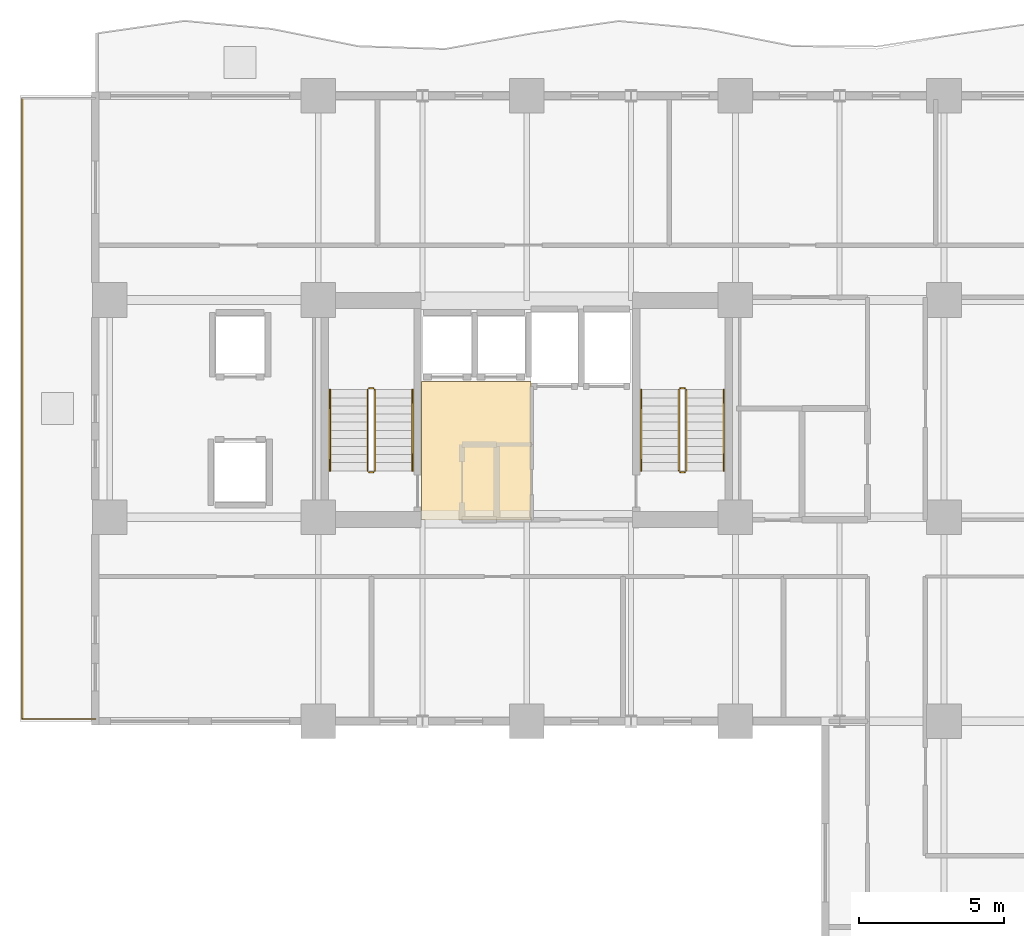
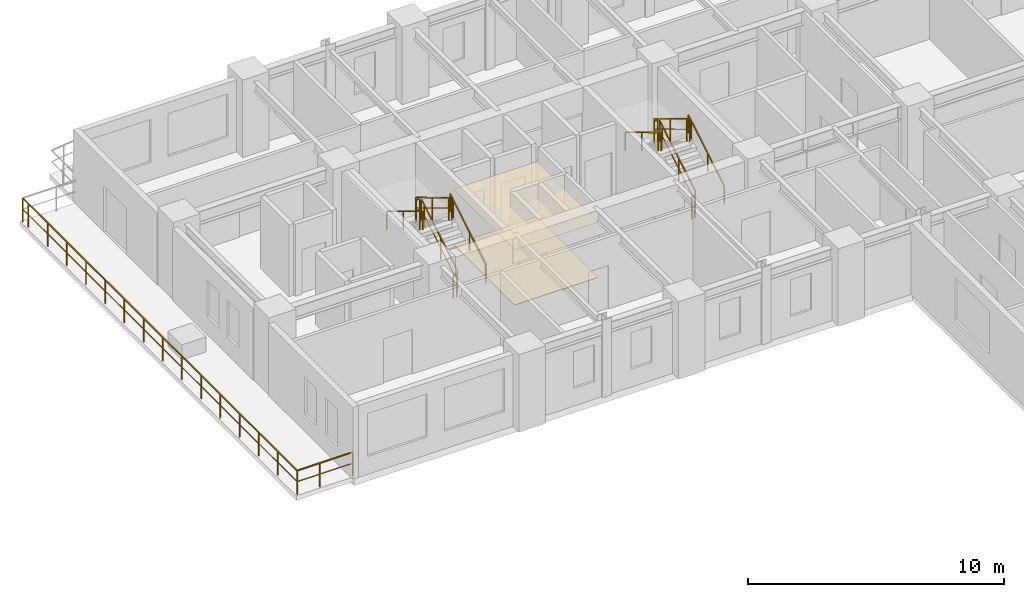
# One storey, part 9 of 11: 14 railings, 2 coverings.
"""IFC4 building model written with IfcOpenShell, lengths in metres."""

from ifc_helpers import new_model, si_unit, direction, frame, origin, origin_2d, place, context, subcontext, project, spatial, rectangle, extrude, source, transform, mapped, material, layer, layer_set, type_object, element, save


model = new_model("IFC4")

# Units and contexts
model_context = context("Model", 3, precision=1e-05, world=origin(), true_north=direction((0.0, 1.0)))
body_context = subcontext(model_context, "Body", "Model", "MODEL_VIEW")
ifc_project = project(units=[si_unit("LENGTHUNIT", "METRE"), si_unit("AREAUNIT", "SQUARE_METRE"), si_unit("VOLUMEUNIT", "CUBIC_METRE"), si_unit("PLANEANGLEUNIT", "RADIAN"), si_unit("MASSUNIT", "GRAM", prefix="KILO")], contexts=[model_context])

# Site, building, storey
site_placement = place(None, origin())
site = spatial("IfcSite", under=ifc_project, at=site_placement, CompositionType="ELEMENT")
building_placement = place(site_placement, origin())
building = spatial("IfcBuilding", under=site, at=building_placement, Name="Kaliganga Portal Commons", CompositionType="ELEMENT")
storey_placement = place(building_placement, frame((0.0, 0.0, 78.60009765625)))
storey = spatial("IfcBuildingStorey", under=building, at=storey_placement, Name="L19", CompositionType="ELEMENT", Elevation=78.60009765625)

# Railings
ifc_material_1 = material(Name="Laminated Safety Glass and Stainless Steel 316", Category="steel")
railing_type_1 = type_object("IfcRailingType", Name="RLG-BAL-1150", PredefinedType="BALUSTRADE", material=ifc_material_1)
railing_1_placement = place(storey_placement, frame((6.699951171875, 21.679931640625, 0.0)))
element("IfcRailing", 1, at=railing_1_placement, inside=storey, type_object=railing_type_1, Name="Terrace Guardrail L19 skygarden_l19-01-1", PredefinedType="BALUSTRADE", context=body_context, shape_type="SweptSolid", body=[
    extrude(rectangle(XDim=0.048095703125, YDim=0.048095703125, at=origin_2d()), frame((0.0, 0.0, 1.1259765625), z_axis=(-1.0, 0.0, 0.0), x_axis=(0.0, -1.0, 0.0)), (0.0, 0.0, 1.0), 2.52001953125),
    extrude(rectangle(XDim=0.028076171875, YDim=0.028076171875, at=origin_2d()), frame((0.0, 0.0, 0.597900390625), z_axis=(-1.0, 0.0, 0.0), x_axis=(0.0, -1.0, 0.0)), (0.0, 0.0, 1.0), 2.52001953125),
    extrude(rectangle(XDim=0.0419921875, YDim=0.0419921875, at=origin_2d()), origin(), (0.0, 0.0, 1.0), 1.101806640625),
    extrude(rectangle(XDim=0.0419921875, YDim=0.0419921875, at=origin_2d()), frame((-1.5, 0.0, 0.0)), (0.0, 0.0, 1.0), 1.101806640625),
    extrude(rectangle(XDim=0.0419921875, YDim=0.0419921875, at=origin_2d()), frame((-2.52001953125, 0.0, 0.0)), (0.0, 0.0, 1.0), 1.101806640625),
])
railing_2_placement = place(storey_placement, frame((4.179931640625, 21.679931640625, 0.0)))
element("IfcRailing", 2, at=railing_2_placement, inside=storey, type_object=railing_type_1, Name="Terrace Guardrail L19 skygarden_l19-02-1", PredefinedType="BALUSTRADE", context=body_context, shape_type="SweptSolid", body=[
    extrude(rectangle(XDim=0.048095703125, YDim=0.048095703125, at=origin_2d()), frame((0.0, 0.0, 1.1259765625), z_axis=(0.0, 1.0, 0.0), x_axis=(-1.0, 0.0, 0.0)), (0.0, 0.0, 1.0), 21.440185546875),
    extrude(rectangle(XDim=0.028076171875, YDim=0.028076171875, at=origin_2d()), frame((0.0, 0.0, 0.597900390625), z_axis=(0.0, 1.0, 0.0), x_axis=(-1.0, 0.0, 0.0)), (0.0, 0.0, 1.0), 21.440185546875),
    extrude(rectangle(XDim=0.0419921875, YDim=0.0419921875, at=origin_2d()), origin(), (0.0, 0.0, 1.0), 1.101806640625),
    extrude(rectangle(XDim=0.0419921875, YDim=0.0419921875, at=origin_2d()), frame((0.0, 1.5, 0.0)), (0.0, 0.0, 1.0), 1.101806640625),
    extrude(rectangle(XDim=0.0419921875, YDim=0.0419921875, at=origin_2d()), frame((0.0, 3.0, 0.0)), (0.0, 0.0, 1.0), 1.101806640625),
    extrude(rectangle(XDim=0.0419921875, YDim=0.0419921875, at=origin_2d()), frame((0.0, 4.5, 0.0)), (0.0, 0.0, 1.0), 1.101806640625),
    extrude(rectangle(XDim=0.0419921875, YDim=0.0419921875, at=origin_2d()), frame((0.0, 6.0, 0.0)), (0.0, 0.0, 1.0), 1.101806640625),
    extrude(rectangle(XDim=0.0419921875, YDim=0.0419921875, at=origin_2d()), frame((0.0, 7.5, 0.0)), (0.0, 0.0, 1.0), 1.101806640625),
    extrude(rectangle(XDim=0.0419921875, YDim=0.0419921875, at=origin_2d()), frame((0.0, 9.0, 0.0)), (0.0, 0.0, 1.0), 1.101806640625),
    extrude(rectangle(XDim=0.0419921875, YDim=0.0419921875, at=origin_2d()), frame((0.0, 10.5, 0.0)), (0.0, 0.0, 1.0), 1.101806640625),
    extrude(rectangle(XDim=0.0419921875, YDim=0.0419921875, at=origin_2d()), frame((0.0, 12.0, 0.0)), (0.0, 0.0, 1.0), 1.101806640625),
    extrude(rectangle(XDim=0.0419921875, YDim=0.0419921875, at=origin_2d()), frame((0.0, 13.5, 0.0)), (0.0, 0.0, 1.0), 1.101806640625),
    extrude(rectangle(XDim=0.0419921875, YDim=0.0419921875, at=origin_2d()), frame((0.0, 15.0, 0.0)), (0.0, 0.0, 1.0), 1.101806640625),
    extrude(rectangle(XDim=0.0419921875, YDim=0.0419921875, at=origin_2d()), frame((0.0, 16.5, 0.0)), (0.0, 0.0, 1.0), 1.101806640625),
    extrude(rectangle(XDim=0.0419921875, YDim=0.0419921875, at=origin_2d()), frame((0.0, 18.0, 0.0)), (0.0, 0.0, 1.0), 1.101806640625),
    extrude(rectangle(XDim=0.0419921875, YDim=0.0419921875, at=origin_2d()), frame((0.0, 19.5, 0.0)), (0.0, 0.0, 1.0), 1.101806640625),
    extrude(rectangle(XDim=0.0419921875, YDim=0.0419921875, at=origin_2d()), frame((0.0, 21.0, 0.0)), (0.0, 0.0, 1.0), 1.101806640625),
    extrude(rectangle(XDim=0.0419921875, YDim=0.0419921875, at=origin_2d()), frame((0.0, 21.440185546875, 0.0)), (0.0, 0.0, 1.0), 1.101806640625),
])
ifc_material_2 = material(Name="Galvanized Painted Steel Balustrade", Category="steel")
railing_type_2 = type_object("IfcRailingType", Name="RLG-STAIR-GRD", PredefinedType="GUARDRAIL", material=ifc_material_2)
railing_3_placement = place(storey_placement, frame((16.35009765625, 30.25, 0.16796875)))
element("IfcRailing", 3, at=railing_3_placement, inside=storey, type_object=railing_type_2, Name="L19 ST-A1 stair guard 1", PredefinedType="GUARDRAIL", context=body_context, shape_type="SweptSolid", body=[
    extrude(rectangle(XDim=0.048095703125, YDim=0.048095703125, at=origin_2d()), frame((0.0, 0.0, 1.072021484375), z_axis=(0.0, 0.857242210791, 0.514913383045), x_axis=(-1.0, 0.0, 0.0)), (0.0, 0.0, 1.0), 3.266357421875),
    extrude(rectangle(XDim=0.028076171875, YDim=0.028076171875, at=origin_2d()), frame((0.0, 0.0, 0.572021484375), z_axis=(0.0, 0.857242210791, 0.514913383045), x_axis=(-1.0, 0.0, 0.0)), (0.0, 0.0, 1.0), 3.266357421875),
    extrude(rectangle(XDim=0.0419921875, YDim=0.0419921875, at=origin_2d()), origin(), (0.0, 0.0, 1.0), 1.052001953125),
    extrude(rectangle(XDim=0.0419921875, YDim=0.0419921875, at=origin_2d()), frame((0.0, 1.285888671875, 0.7724609375)), (0.0, 0.0, 1.0), 1.052001953125),
    extrude(rectangle(XDim=0.0419921875, YDim=0.0419921875, at=origin_2d()), frame((0.0, 2.57177734375, 1.544677734375)), (0.0, 0.0, 1.0), 1.052001953125),
    extrude(rectangle(XDim=0.0419921875, YDim=0.0419921875, at=origin_2d()), frame((0.0, 2.800048828125, 1.681884765625)), (0.0, 0.0, 1.0), 1.052001953125),
])
railing_4_placement = place(storey_placement, frame((16.300048828125, 33.10009765625, 1.849853515625)))
element("IfcRailing", 4, at=railing_4_placement, inside=storey, type_object=railing_type_2, Name="L19 ST-A1 stair guard 2", PredefinedType="GUARDRAIL", context=body_context, shape_type="SweptSolid", body=[
    extrude(rectangle(XDim=0.048095703125, YDim=0.048095703125, at=origin_2d()), frame((0.0, 0.0, 1.076171875), z_axis=(-1.0, 0.0, 0.0), x_axis=(0.0, -1.0, 0.0)), (0.0, 0.0, 1.0), 0.150146484375),
    extrude(rectangle(XDim=0.028076171875, YDim=0.028076171875, at=origin_2d()), frame((0.0, 0.0, 0.572021484375), z_axis=(-1.0, 0.0, 0.0), x_axis=(0.0, -1.0, 0.0)), (0.0, 0.0, 1.0), 0.150146484375),
    extrude(rectangle(XDim=0.0419921875, YDim=0.0419921875, at=origin_2d()), origin(), (0.0, 0.0, 1.0), 1.052001953125),
    extrude(rectangle(XDim=0.0419921875, YDim=0.0419921875, at=origin_2d()), frame((-0.150146484375, 0.0, 0.0)), (0.0, 0.0, 1.0), 1.052001953125),
])
railing_5_placement = place(storey_placement, frame((16.10009765625, 33.050048828125, 2.01806640625)))
element("IfcRailing", 5, at=railing_5_placement, inside=storey, type_object=railing_type_2, Name="L19 ST-A1 stair guard 3", PredefinedType="GUARDRAIL", context=body_context, shape_type="SweptSolid", body=[
    extrude(rectangle(XDim=0.048095703125, YDim=0.048095703125, at=origin_2d()), frame((0.0, 0.0, 1.072021484375), z_axis=(0.0, -0.857242210791, 0.514913383045), x_axis=(1.0, 0.0, 0.0)), (0.0, 0.0, 1.0), 3.266357421875),
    extrude(rectangle(XDim=0.028076171875, YDim=0.028076171875, at=origin_2d()), frame((0.0, 0.0, 0.572021484375), z_axis=(0.0, -0.857242210791, 0.514913383045), x_axis=(1.0, 0.0, 0.0)), (0.0, 0.0, 1.0), 3.266357421875),
    extrude(rectangle(XDim=0.0419921875, YDim=0.0419921875, at=origin_2d()), origin(), (0.0, 0.0, 1.0), 1.052001953125),
    extrude(rectangle(XDim=0.0419921875, YDim=0.0419921875, at=origin_2d()), frame((0.0, -1.285888671875, 0.7724609375)), (0.0, 0.0, 1.0), 1.052001953125),
    extrude(rectangle(XDim=0.0419921875, YDim=0.0419921875, at=origin_2d()), frame((0.0, -2.57177734375, 1.544677734375)), (0.0, 0.0, 1.0), 1.052001953125),
    extrude(rectangle(XDim=0.0419921875, YDim=0.0419921875, at=origin_2d()), frame((0.0, -2.800048828125, 1.681884765625)), (0.0, 0.0, 1.0), 1.052001953125),
])
railing_6_placement = place(storey_placement, frame((16.300048828125, 30.199951171875, 0.0)))
element("IfcRailing", 6, at=railing_6_placement, inside=storey, type_object=railing_type_2, Name="L19 ST-A1 stair guard 4", PredefinedType="GUARDRAIL", context=body_context, shape_type="SweptSolid", body=[
    extrude(rectangle(XDim=0.048095703125, YDim=0.048095703125, at=origin_2d()), frame((0.0, 0.0, 1.076171875), z_axis=(-1.0, 0.0, 0.0), x_axis=(0.0, -1.0, 0.0)), (0.0, 0.0, 1.0), 0.150146484375),
    extrude(rectangle(XDim=0.028076171875, YDim=0.028076171875, at=origin_2d()), frame((0.0, 0.0, 0.572021484375), z_axis=(-1.0, 0.0, 0.0), x_axis=(0.0, -1.0, 0.0)), (0.0, 0.0, 1.0), 0.150146484375),
    extrude(rectangle(XDim=0.0419921875, YDim=0.0419921875, at=origin_2d()), origin(), (0.0, 0.0, 1.0), 1.052001953125),
    extrude(rectangle(XDim=0.0419921875, YDim=0.0419921875, at=origin_2d()), frame((-0.150146484375, 0.0, 0.0)), (0.0, 0.0, 1.0), 1.052001953125),
])
railing_7_placement = place(storey_placement, frame((27.10009765625, 30.25, 0.16796875)))
element("IfcRailing", 7, at=railing_7_placement, inside=storey, type_object=railing_type_2, Name="L19 ST-A2 stair guard 1", PredefinedType="GUARDRAIL", context=body_context, shape_type="SweptSolid", body=[
    extrude(rectangle(XDim=0.048095703125, YDim=0.048095703125, at=origin_2d()), frame((0.0, 0.0, 1.072021484375), z_axis=(0.0, 0.857242210791, 0.514913383045), x_axis=(-1.0, 0.0, 0.0)), (0.0, 0.0, 1.0), 3.266357421875),
    extrude(rectangle(XDim=0.028076171875, YDim=0.028076171875, at=origin_2d()), frame((0.0, 0.0, 0.572021484375), z_axis=(0.0, 0.857242210791, 0.514913383045), x_axis=(-1.0, 0.0, 0.0)), (0.0, 0.0, 1.0), 3.266357421875),
    extrude(rectangle(XDim=0.0419921875, YDim=0.0419921875, at=origin_2d()), origin(), (0.0, 0.0, 1.0), 1.052001953125),
    extrude(rectangle(XDim=0.0419921875, YDim=0.0419921875, at=origin_2d()), frame((0.0, 1.285888671875, 0.7724609375)), (0.0, 0.0, 1.0), 1.052001953125),
    extrude(rectangle(XDim=0.0419921875, YDim=0.0419921875, at=origin_2d()), frame((0.0, 2.57177734375, 1.544677734375)), (0.0, 0.0, 1.0), 1.052001953125),
    extrude(rectangle(XDim=0.0419921875, YDim=0.0419921875, at=origin_2d()), frame((0.0, 2.800048828125, 1.681884765625)), (0.0, 0.0, 1.0), 1.052001953125),
])
railing_8_placement = place(storey_placement, frame((27.050048828125, 33.10009765625, 1.849853515625)))
element("IfcRailing", 8, at=railing_8_placement, inside=storey, type_object=railing_type_2, Name="L19 ST-A2 stair guard 2", PredefinedType="GUARDRAIL", context=body_context, shape_type="SweptSolid", body=[
    extrude(rectangle(XDim=0.048095703125, YDim=0.048095703125, at=origin_2d()), frame((0.0, 0.0, 1.076171875), z_axis=(-1.0, 0.0, 0.0), x_axis=(0.0, -1.0, 0.0)), (0.0, 0.0, 1.0), 0.150146484375),
    extrude(rectangle(XDim=0.028076171875, YDim=0.028076171875, at=origin_2d()), frame((0.0, 0.0, 0.572021484375), z_axis=(-1.0, 0.0, 0.0), x_axis=(0.0, -1.0, 0.0)), (0.0, 0.0, 1.0), 0.150146484375),
    extrude(rectangle(XDim=0.0419921875, YDim=0.0419921875, at=origin_2d()), origin(), (0.0, 0.0, 1.0), 1.052001953125),
    extrude(rectangle(XDim=0.0419921875, YDim=0.0419921875, at=origin_2d()), frame((-0.150146484375, 0.0, 0.0)), (0.0, 0.0, 1.0), 1.052001953125),
])
railing_9_placement = place(storey_placement, frame((26.85009765625, 33.050048828125, 2.01806640625)))
element("IfcRailing", 9, at=railing_9_placement, inside=storey, type_object=railing_type_2, Name="L19 ST-A2 stair guard 3", PredefinedType="GUARDRAIL", context=body_context, shape_type="SweptSolid", body=[
    extrude(rectangle(XDim=0.048095703125, YDim=0.048095703125, at=origin_2d()), frame((0.0, 0.0, 1.072021484375), z_axis=(0.0, -0.857242210791, 0.514913383045), x_axis=(1.0, 0.0, 0.0)), (0.0, 0.0, 1.0), 3.266357421875),
    extrude(rectangle(XDim=0.028076171875, YDim=0.028076171875, at=origin_2d()), frame((0.0, 0.0, 0.572021484375), z_axis=(0.0, -0.857242210791, 0.514913383045), x_axis=(1.0, 0.0, 0.0)), (0.0, 0.0, 1.0), 3.266357421875),
    extrude(rectangle(XDim=0.0419921875, YDim=0.0419921875, at=origin_2d()), origin(), (0.0, 0.0, 1.0), 1.052001953125),
    extrude(rectangle(XDim=0.0419921875, YDim=0.0419921875, at=origin_2d()), frame((0.0, -1.285888671875, 0.7724609375)), (0.0, 0.0, 1.0), 1.052001953125),
    extrude(rectangle(XDim=0.0419921875, YDim=0.0419921875, at=origin_2d()), frame((0.0, -2.57177734375, 1.544677734375)), (0.0, 0.0, 1.0), 1.052001953125),
    extrude(rectangle(XDim=0.0419921875, YDim=0.0419921875, at=origin_2d()), frame((0.0, -2.800048828125, 1.681884765625)), (0.0, 0.0, 1.0), 1.052001953125),
])
railing_10_placement = place(storey_placement, frame((27.050048828125, 30.199951171875, 0.0)))
element("IfcRailing", 10, at=railing_10_placement, inside=storey, type_object=railing_type_2, Name="L19 ST-A2 stair guard 4", PredefinedType="GUARDRAIL", context=body_context, shape_type="SweptSolid", body=[
    extrude(rectangle(XDim=0.048095703125, YDim=0.048095703125, at=origin_2d()), frame((0.0, 0.0, 1.076171875), z_axis=(-1.0, 0.0, 0.0), x_axis=(0.0, -1.0, 0.0)), (0.0, 0.0, 1.0), 0.150146484375),
    extrude(rectangle(XDim=0.028076171875, YDim=0.028076171875, at=origin_2d()), frame((0.0, 0.0, 0.572021484375), z_axis=(-1.0, 0.0, 0.0), x_axis=(0.0, -1.0, 0.0)), (0.0, 0.0, 1.0), 0.150146484375),
    extrude(rectangle(XDim=0.0419921875, YDim=0.0419921875, at=origin_2d()), origin(), (0.0, 0.0, 1.0), 1.052001953125),
    extrude(rectangle(XDim=0.0419921875, YDim=0.0419921875, at=origin_2d()), frame((-0.150146484375, 0.0, 0.0)), (0.0, 0.0, 1.0), 1.052001953125),
])
ifc_material_3 = material(Name="Brushed Stainless Steel 316", Category="steel")
railing_type_3 = type_object("IfcRailingType", Name="RLG-STAIR-HR", PredefinedType="HANDRAIL", material=ifc_material_3)
railing_11_placement = place(storey_placement, frame((17.64990234375, 30.25, 0.16796875)))
element("IfcRailing", 11, at=railing_11_placement, inside=storey, type_object=railing_type_3, Name="L19 ST-A1 stair handrail 1", PredefinedType="HANDRAIL", context=body_context, shape_type="SweptSolid", body=[
    extrude(rectangle(XDim=0.048095703125, YDim=0.048095703125, at=origin_2d()), frame((0.0, 0.0, 0.871826171875), z_axis=(0.0, 0.857242210791, 0.514913383045), x_axis=(-1.0, 0.0, 0.0)), (0.0, 0.0, 1.0), 3.266357421875),
    extrude(rectangle(XDim=0.0419921875, YDim=0.0419921875, at=origin_2d()), origin(), (0.0, 0.0, 1.0), 0.851806640625),
    extrude(rectangle(XDim=0.0419921875, YDim=0.0419921875, at=origin_2d()), frame((0.0, 1.285888671875, 0.7724609375)), (0.0, 0.0, 1.0), 0.851806640625),
    extrude(rectangle(XDim=0.0419921875, YDim=0.0419921875, at=origin_2d()), frame((0.0, 2.57177734375, 1.544677734375)), (0.0, 0.0, 1.0), 0.851806640625),
    extrude(rectangle(XDim=0.0419921875, YDim=0.0419921875, at=origin_2d()), frame((0.0, 2.800048828125, 1.681884765625)), (0.0, 0.0, 1.0), 0.851806640625),
])
railing_12_placement = place(storey_placement, frame((14.800048828125, 33.050048828125, 2.01806640625)))
element("IfcRailing", 12, at=railing_12_placement, inside=storey, type_object=railing_type_3, Name="L19 ST-A1 stair handrail 2", PredefinedType="HANDRAIL", context=body_context, shape_type="SweptSolid", body=[
    extrude(rectangle(XDim=0.048095703125, YDim=0.048095703125, at=origin_2d()), frame((0.0, 0.0, 0.871826171875), z_axis=(0.0, -0.857242210791, 0.514913383045), x_axis=(1.0, 0.0, 0.0)), (0.0, 0.0, 1.0), 3.266357421875),
    extrude(rectangle(XDim=0.0419921875, YDim=0.0419921875, at=origin_2d()), origin(), (0.0, 0.0, 1.0), 0.851806640625),
    extrude(rectangle(XDim=0.0419921875, YDim=0.0419921875, at=origin_2d()), frame((0.0, -1.285888671875, 0.7724609375)), (0.0, 0.0, 1.0), 0.851806640625),
    extrude(rectangle(XDim=0.0419921875, YDim=0.0419921875, at=origin_2d()), frame((0.0, -2.57177734375, 1.544677734375)), (0.0, 0.0, 1.0), 0.851806640625),
    extrude(rectangle(XDim=0.0419921875, YDim=0.0419921875, at=origin_2d()), frame((0.0, -2.800048828125, 1.681884765625)), (0.0, 0.0, 1.0), 0.851806640625),
])
railing_13_placement = place(storey_placement, frame((28.39990234375, 30.25, 0.16796875)))
element("IfcRailing", 13, at=railing_13_placement, inside=storey, type_object=railing_type_3, Name="L19 ST-A2 stair handrail 1", PredefinedType="HANDRAIL", context=body_context, shape_type="SweptSolid", body=[
    extrude(rectangle(XDim=0.048095703125, YDim=0.048095703125, at=origin_2d()), frame((0.0, 0.0, 0.871826171875), z_axis=(0.0, 0.857242210791, 0.514913383045), x_axis=(-1.0, 0.0, 0.0)), (0.0, 0.0, 1.0), 3.266357421875),
    extrude(rectangle(XDim=0.0419921875, YDim=0.0419921875, at=origin_2d()), origin(), (0.0, 0.0, 1.0), 0.851806640625),
    extrude(rectangle(XDim=0.0419921875, YDim=0.0419921875, at=origin_2d()), frame((0.0, 1.285888671875, 0.7724609375)), (0.0, 0.0, 1.0), 0.851806640625),
    extrude(rectangle(XDim=0.0419921875, YDim=0.0419921875, at=origin_2d()), frame((0.0, 2.57177734375, 1.544677734375)), (0.0, 0.0, 1.0), 0.851806640625),
    extrude(rectangle(XDim=0.0419921875, YDim=0.0419921875, at=origin_2d()), frame((0.0, 2.800048828125, 1.681884765625)), (0.0, 0.0, 1.0), 0.851806640625),
])
railing_14_placement = place(storey_placement, frame((25.550048828125, 33.050048828125, 2.01806640625)))
element("IfcRailing", 14, at=railing_14_placement, inside=storey, type_object=railing_type_3, Name="L19 ST-A2 stair handrail 2", PredefinedType="HANDRAIL", context=body_context, shape_type="SweptSolid", body=[
    extrude(rectangle(XDim=0.048095703125, YDim=0.048095703125, at=origin_2d()), frame((0.0, 0.0, 0.871826171875), z_axis=(0.0, -0.857242210791, 0.514913383045), x_axis=(1.0, 0.0, 0.0)), (0.0, 0.0, 1.0), 3.266357421875),
    extrude(rectangle(XDim=0.0419921875, YDim=0.0419921875, at=origin_2d()), origin(), (0.0, 0.0, 1.0), 0.851806640625),
    extrude(rectangle(XDim=0.0419921875, YDim=0.0419921875, at=origin_2d()), frame((0.0, -1.285888671875, 0.7724609375)), (0.0, 0.0, 1.0), 0.851806640625),
    extrude(rectangle(XDim=0.0419921875, YDim=0.0419921875, at=origin_2d()), frame((0.0, -2.57177734375, 1.544677734375)), (0.0, 0.0, 1.0), 0.851806640625),
    extrude(rectangle(XDim=0.0419921875, YDim=0.0419921875, at=origin_2d()), frame((0.0, -2.800048828125, 1.681884765625)), (0.0, 0.0, 1.0), 0.851806640625),
])

# Coverings
ifc_material_4 = material(Name="Acoustic Micro-Perforated Gypsum Ceiling", Category="gypsum")
ifc_layer_1 = layer(ifc_material_4, 0.02001953125)
ifc_layer_set_1 = layer_set([ifc_layer_1], Name="Acoustic Micro-Perforated Gypsum Ceiling")
covering_type_1 = type_object("IfcCoveringType", Name="COV-CEIL-GYP", PredefinedType="CEILING", material=ifc_layer_set_1)
shared_shape_1 = source(origin(), body_context, "Body", "SweptSolid", [
    extrude(rectangle(XDim=3.780029296875, YDim=4.780029296875, at=origin_2d()), origin(), (0.0, 0.0, 1.0), 0.02001953125),
])
covering_1_placement = place(storey_placement, frame((19.85009765625, 30.949951171875, 2.639892578125), z_axis=(0.0, 0.0, 1.0), x_axis=(1.0, 0.0, 0.0)))
element("IfcCovering", 15, at=covering_1_placement, inside=storey, type_object=covering_type_1, Name="Acoustic Ceiling L19 PLOB_A", PredefinedType="CEILING", context=body_context, shape_type="MappedRepresentation", body=[
    mapped(shared_shape_1, transform((0.0, 0.0, 0.0), x_axis=(1.0, 0.0, 0.0), y_axis=(0.0, 1.0, 0.0), z_axis=(0.0, 0.0, 1.0), scale=1.0)),
])
ifc_material_5 = material(Name="Polished Sylhet Stone Terrazzo Flooring", Category="masonry")
ifc_layer_2 = layer(ifc_material_5, 0.02490234375)
ifc_layer_set_2 = layer_set([ifc_layer_2], Name="Polished Sylhet Stone Terrazzo Flooring")
covering_type_2 = type_object("IfcCoveringType", Name="COV-FLR-TERRAZZO", PredefinedType="FLOORING", material=ifc_layer_set_2)
shared_shape_2 = source(origin(), body_context, "Body", "SweptSolid", [
    extrude(rectangle(XDim=3.780029296875, YDim=4.780029296875, at=origin_2d()), origin(), (0.0, 0.0, 1.0), 0.02490234375),
])
covering_2_placement = place(storey_placement, frame((19.85009765625, 30.949951171875, 0.00048828125), z_axis=(0.0, 0.0, 1.0), x_axis=(1.0, 0.0, 0.0)))
element("IfcCovering", 16, at=covering_2_placement, inside=storey, type_object=covering_type_2, Name="Terrazzo Flooring L19 PLOB_A", PredefinedType="FLOORING", context=body_context, shape_type="MappedRepresentation", body=[
    mapped(shared_shape_2, transform((0.0, 0.0, 0.0), x_axis=(1.0, 0.0, 0.0), y_axis=(0.0, 1.0, 0.0), z_axis=(0.0, 0.0, 1.0), scale=1.0)),
])

save(model, "model.ifc")
